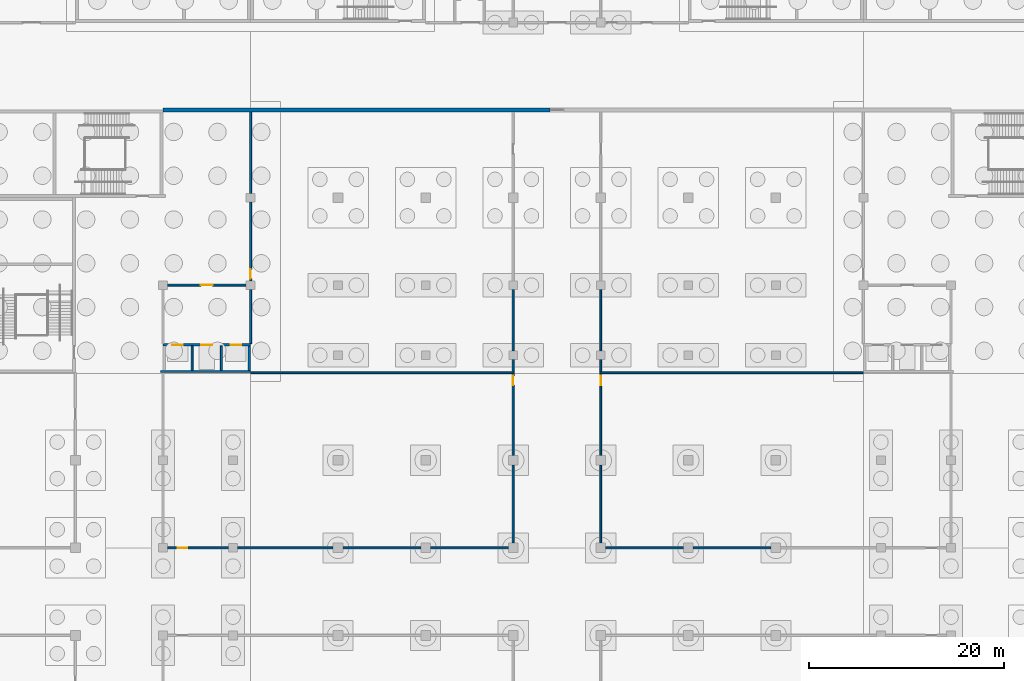
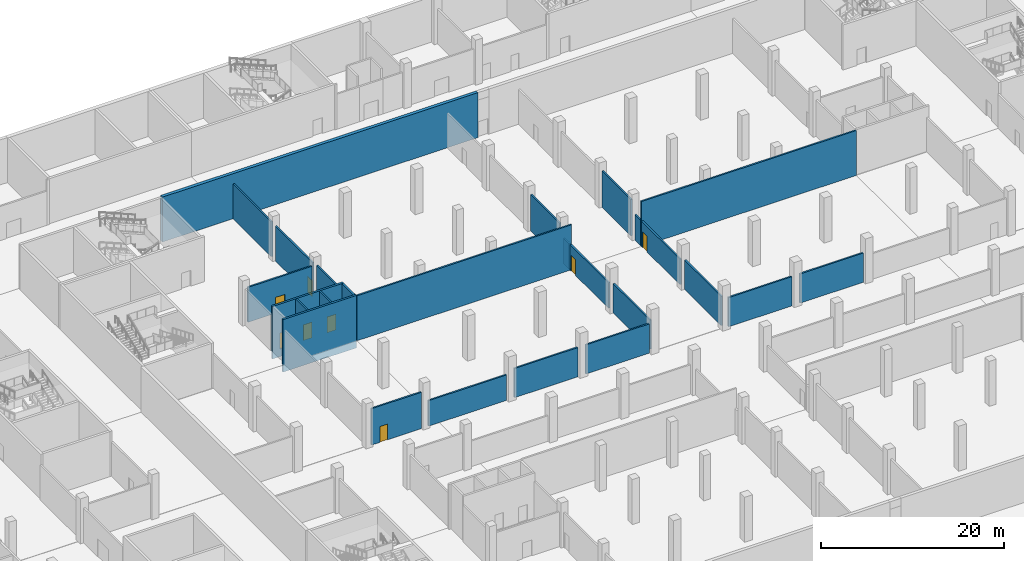
# One storey, part 14 of 42: 26 walls, 8 doors, 8 openings.
"""IFC4 building model written with IfcOpenShell, lengths in metres."""

from ifc_helpers import new_model, si_unit, direction, frame, frame_2d, origin, place, context, subcontext, project, spatial, rectangle, extrude, material, layer, layer_set, type_object, element, fill, save


model = new_model("IFC4")

# Units and contexts
model_context = context("Model", 3, precision=1e-05, world=origin(), true_north=direction((0.0, 1.0)))
body_context = subcontext(model_context, "Body", "Model", "MODEL_VIEW")
ifc_project = project(units=[si_unit("LENGTHUNIT", "METRE"), si_unit("AREAUNIT", "SQUARE_METRE"), si_unit("VOLUMEUNIT", "CUBIC_METRE"), si_unit("PLANEANGLEUNIT", "RADIAN"), si_unit("MASSUNIT", "GRAM", prefix="KILO")], contexts=[model_context])

# Site, building, storey
site_placement = place(None, origin())
site = spatial("IfcSite", under=ifc_project, at=site_placement, CompositionType="ELEMENT")
building_placement = place(site_placement, origin())
building = spatial("IfcBuilding", under=site, at=building_placement, Name="Silverbay Arena", CompositionType="ELEMENT")
storey_placement = place(building_placement, frame((0.0, 0.0, -6.0)))
storey = spatial("IfcBuildingStorey", under=building, at=storey_placement, Name="B1", CompositionType="ELEMENT", Elevation=-6.0)

# Walls
ifc_material_1 = material(Name="Concrete Grade C45", Category="concrete")
ifc_layer_1 = layer(ifc_material_1, 0.199951171875)
ifc_layer_set_1 = layer_set([ifc_layer_1], Name="Concrete Grade C45")
wall_type_1 = type_object("IfcWallType", Name="Lift shaft divider RC 200 EI 240", PredefinedType="SHEAR", material=ifc_layer_set_1)
for number, where, z_axis, x_axis, name in (
    (1, (93.0, 99.25, -1.0), (0.0, 0.0, 1.0), (0.0, 1.0, 0.0), "Lift shaft divider LB-NW B1 1"),
    (2, (96.0, 99.25, -1.0), (0.0, 0.0, 1.0), (0.0, 1.0, 0.0), "Lift shaft divider LB-NW B1 2"),
):
    element("IfcWall", number, at=place(storey_placement, frame(where, z_axis=z_axis, x_axis=x_axis)), inside=storey, type_object=wall_type_1, Name=name, PredefinedType="SHEAR", context=body_context, shape_type="SweptSolid", body=[
        extrude(rectangle(XDim=2.5, YDim=0.199951171875, at=frame_2d((1.25, 0.0))), origin(), (0.0, 0.0, 1.0), 7.0),
    ])

# Wall, openings, doors
ifc_material_2 = material(Name="Concrete Grade C45", Category="concrete")
ifc_layer_2 = layer(ifc_material_2, 0.25)
ifc_layer_set_2 = layer_set([ifc_layer_2], Name="Concrete Grade C45")
wall_type_2 = type_object("IfcWallType", Name="Lift shaft wall RC 250 EI 240", PredefinedType="SHEAR", material=ifc_layer_set_2)
wall_1_placement = place(storey_placement, frame((90.0, 101.875, -1.0), z_axis=(0.0, 0.0, 1.0), x_axis=(1.0, 0.0, 0.0)))
wall_1 = element("IfcWall", 3, at=wall_1_placement, inside=storey, type_object=wall_type_2, Name="Lift shaft wall LB-NW B1 landing side", PredefinedType="SHEAR", context=body_context, shape_type="SweptSolid", body=[
    extrude(rectangle(XDim=9.0, YDim=0.25, at=frame_2d((4.5, 0.0))), origin(), (0.0, 0.0, 1.0), 7.0),
])
opening_1_placement = place(wall_1_placement, frame((0.949951171875, 0.0, 1.0)))
opening_1 = element("IfcOpeningElement", 4, at=opening_1_placement, cuts=wall_1, Name="Opening B1-106", PredefinedType="OPENING", context=body_context, shape_type="SweptSolid", body=[
    extrude(rectangle(XDim=1.10009765625, YDim=2.10009765625, at=frame_2d((0.550048828125, 1.050048828125))), frame((0.0, 0.135009765625, 0.0), z_axis=(0.0, -1.0, 0.0), x_axis=(1.0, 0.0, 0.0)), (0.0, 0.0, 1.0), 0.27001953125),
])
opening_2_placement = place(wall_1_placement, frame((3.949951171875, 0.0, 1.0)))
opening_2 = element("IfcOpeningElement", 5, at=opening_2_placement, cuts=wall_1, Name="Opening B1-107", PredefinedType="OPENING", context=body_context, shape_type="SweptSolid", body=[
    extrude(rectangle(XDim=1.10009765625, YDim=2.10009765625, at=frame_2d((0.550048828125, 1.050048828125))), frame((0.0, 0.135009765625, 0.0), z_axis=(0.0, -1.0, 0.0), x_axis=(1.0, 0.0, 0.0)), (0.0, 0.0, 1.0), 0.27001953125),
])
opening_3_placement = place(wall_1_placement, frame((6.949951171875, 0.0, 1.0)))
opening_3 = element("IfcOpeningElement", 6, at=opening_3_placement, cuts=wall_1, Name="Opening B1-108", PredefinedType="OPENING", context=body_context, shape_type="SweptSolid", body=[
    extrude(rectangle(XDim=1.10009765625, YDim=2.10009765625, at=frame_2d((0.550048828125, 1.050048828125))), frame((0.0, 0.135009765625, 0.0), z_axis=(0.0, -1.0, 0.0), x_axis=(1.0, 0.0, 0.0)), (0.0, 0.0, 1.0), 0.27001953125),
])
ifc_material_3 = material(Name="Stainless steel", Category="steel")
door_type_1 = type_object("IfcDoorType", Name="LD1 lift landing door 1100 x 2100", OperationType="DOUBLE_DOOR_SLIDING", PredefinedType="DOOR", material=ifc_material_3)
door_1_placement = place(opening_1_placement, origin())
door_1 = element("IfcDoor", 7, at=door_1_placement, inside=storey, type_object=door_type_1, Name="Lift landing door LF9 B1", OperationType="DOUBLE_DOOR_SLIDING", OverallHeight=2.10009765625, OverallWidth=1.10009765625, PredefinedType="DOOR", context=body_context, shape_type="SweptSolid", body=[
    extrude(rectangle(XDim=1.10009765625, YDim=2.10009765625, at=frame_2d((0.550048828125, 1.050048828125))), frame((0.0, 0.02490234375, 0.0), z_axis=(0.0, -1.0, 0.0), x_axis=(1.0, 0.0, 0.0)), (0.0, 0.0, 1.0), 0.050048828125),
])
fill(opening_1, door_1)
door_2_placement = place(opening_2_placement, origin())
door_2 = element("IfcDoor", 8, at=door_2_placement, inside=storey, type_object=door_type_1, Name="Lift landing door LF10 B1", OperationType="DOUBLE_DOOR_SLIDING", OverallHeight=2.10009765625, OverallWidth=1.10009765625, PredefinedType="DOOR", context=body_context, shape_type="SweptSolid", body=[
    extrude(rectangle(XDim=1.10009765625, YDim=2.10009765625, at=frame_2d((0.550048828125, 1.050048828125))), frame((0.0, 0.02490234375, 0.0), z_axis=(0.0, -1.0, 0.0), x_axis=(1.0, 0.0, 0.0)), (0.0, 0.0, 1.0), 0.050048828125),
])
fill(opening_2, door_2)
door_3_placement = place(opening_3_placement, origin())
door_3 = element("IfcDoor", 9, at=door_3_placement, inside=storey, type_object=door_type_1, Name="Lift landing door LF11 B1", OperationType="DOUBLE_DOOR_SLIDING", OverallHeight=2.10009765625, OverallWidth=1.10009765625, PredefinedType="DOOR", context=body_context, shape_type="SweptSolid", body=[
    extrude(rectangle(XDim=1.10009765625, YDim=2.10009765625, at=frame_2d((0.550048828125, 1.050048828125))), frame((0.0, 0.02490234375, 0.0), z_axis=(0.0, -1.0, 0.0), x_axis=(1.0, 0.0, 0.0)), (0.0, 0.0, 1.0), 0.050048828125),
])
fill(opening_3, door_3)

# Walls
wall_2_placement = place(storey_placement, frame((89.75, 99.125, -1.0), z_axis=(0.0, 0.0, 1.0), x_axis=(1.0, 0.0, 0.0)))
element("IfcWall", 10, at=wall_2_placement, inside=storey, type_object=wall_type_2, Name="Lift shaft wall LB-NW B1 back", PredefinedType="SHEAR", context=body_context, shape_type="SweptSolid", body=[
    extrude(rectangle(XDim=9.25, YDim=0.25, at=frame_2d((4.625, 0.0))), origin(), (0.0, 0.0, 1.0), 7.0),
])
wall_3_placement = place(storey_placement, frame((98.875, 99.25, -1.0), z_axis=(0.0, 0.0, 1.0), x_axis=(0.0, 1.0, 0.0)))
element("IfcWall", 11, at=wall_3_placement, inside=storey, type_object=wall_type_2, Name="Lift shaft wall LB-NW B1 end", PredefinedType="SHEAR", context=body_context, shape_type="SweptSolid", body=[
    extrude(rectangle(XDim=2.5, YDim=0.25, at=frame_2d((1.25, 0.0))), origin(), (0.0, 0.0, 1.0), 7.0),
])
ifc_material_4 = material(Name="Masonry blockwork partition", Category="masonry")
ifc_layer_3 = layer(ifc_material_4, 0.199951171875)
ifc_layer_set_3 = layer_set([ifc_layer_3], Name="Masonry blockwork partition")
wall_type_3 = type_object("IfcWallType", Name="Partition 200 EI 240", PredefinedType="PARTITIONING", material=ifc_layer_set_3)
for number, where, z_axis, x_axis, name in (
    (12, (117.5, 81.0, 0.0), (0.0, 0.0, 1.0), (1.0, 0.0, 0.0), "Partition wall"),
    (13, (108.5, 81.0, 0.0), (0.0, 0.0, 1.0), (1.0, 0.0, 0.0), "Partition wall"),
):
    element("IfcWall", number, at=place(storey_placement, frame(where, z_axis=z_axis, x_axis=x_axis)), inside=storey, type_object=wall_type_3, Name=name, PredefinedType="PARTITIONING", context=body_context, shape_type="SweptSolid", body=[
        extrude(rectangle(XDim=8.0, YDim=0.199951171875, at=frame_2d((4.0, 0.0))), origin(), (0.0, 0.0, 1.0), 3.89990234375),
    ])
wall_4_placement = place(storey_placement, frame((97.64990234375, 81.0, 0.0), z_axis=(0.0, 0.0, 1.0), x_axis=(1.0, 0.0, 0.0)))
element("IfcWall", 14, at=wall_4_placement, inside=storey, type_object=wall_type_3, Name="Partition wall", PredefinedType="PARTITIONING", context=body_context, shape_type="SweptSolid", body=[
    extrude(rectangle(XDim=9.85009765625, YDim=0.199951171875, at=frame_2d((4.925048828125, 0.0))), origin(), (0.0, 0.0, 1.0), 3.39990234375),
])

# Wall, opening, door
wall_5_placement = place(storey_placement, frame((90.449951171875, 81.0, 0.0), z_axis=(0.0, 0.0, 1.0), x_axis=(1.0, 0.0, 0.0)))
wall_5 = element("IfcWall", 15, at=wall_5_placement, inside=storey, type_object=wall_type_3, Name="Partition wall", PredefinedType="PARTITIONING", context=body_context, shape_type="SweptSolid", body=[
    extrude(rectangle(XDim=6.300048828125, YDim=0.199951171875, at=frame_2d((3.14990234375, 0.0))), origin(), (0.0, 0.0, 1.0), 4.85009765625),
])
opening_4_placement = place(wall_5_placement, frame((1.050048828125, 0.0, 0.0)))
opening_4 = element("IfcOpeningElement", 16, at=opening_4_placement, cuts=wall_5, Name="Opening B1-049", PredefinedType="OPENING", context=body_context, shape_type="SweptSolid", body=[
    extrude(rectangle(XDim=1.0, YDim=2.10009765625, at=frame_2d((0.5, 1.050048828125))), frame((0.0, 0.10986328125, 0.0), z_axis=(0.0, -1.0, 0.0), x_axis=(1.0, 0.0, 0.0)), (0.0, 0.0, 1.0), 0.219970703125),
])
ifc_material_5 = material(Name="Steel faced timber", Category="steel")
door_type_2 = type_object("IfcDoorType", Name="Single leaf door 1000 x 2100 FD30S", OperationType="SINGLE_SWING_LEFT", PredefinedType="DOOR", material=ifc_material_5)
door_4_placement = place(opening_4_placement, origin())
door_4 = element("IfcDoor", 17, at=door_4_placement, inside=storey, type_object=door_type_2, Name="Door B1-049", OperationType="SINGLE_SWING_LEFT", OverallHeight=2.10009765625, OverallWidth=1.0, PredefinedType="DOOR", context=body_context, shape_type="SweptSolid", body=[
    extrude(rectangle(XDim=1.0, YDim=2.10009765625, at=frame_2d((0.5, 1.050048828125))), frame((0.0, 0.02490234375, 0.0), z_axis=(0.0, -1.0, 0.0), x_axis=(1.0, 0.0, 0.0)), (0.0, 0.0, 1.0), 0.050048828125),
])
fill(opening_4, door_4)

# Walls
for number, where, z_axis, x_axis, name in (
    (18, (144.5, 81.0, 0.0), (0.0, 0.0, 1.0), (1.0, 0.0, 0.0), "Partition wall"),
    (19, (135.5, 81.0, 0.0), (0.0, 0.0, 1.0), (1.0, 0.0, 0.0), "Partition wall"),
):
    element("IfcWall", number, at=place(storey_placement, frame(where, z_axis=z_axis, x_axis=x_axis)), inside=storey, type_object=wall_type_3, Name=name, PredefinedType="PARTITIONING", context=body_context, shape_type="SweptSolid", body=[
        extrude(rectangle(XDim=8.0, YDim=0.199951171875, at=frame_2d((4.0, 0.0))), origin(), (0.0, 0.0, 1.0), 3.89990234375),
    ])
for number, where, z_axis, x_axis, name in (
    (20, (99.0, 99.0, 0.0), (0.0, 0.0, 1.0), (1.0, 0.0, 0.0), "Partition wall"),
    (21, (134.89990234375, 99.0, 0.0), (0.0, 0.0, 1.0), (1.0, 0.0, 0.0), "Partition wall"),
):
    element("IfcWall", number, at=place(storey_placement, frame(where, z_axis=z_axis, x_axis=x_axis)), inside=storey, type_object=wall_type_3, Name=name, PredefinedType="PARTITIONING", context=body_context, shape_type="SweptSolid", body=[
        extrude(rectangle(XDim=27.10009765625, YDim=0.199951171875, at=frame_2d((13.550048828125, 0.0))), origin(), (0.0, 0.0, 1.0), 6.0),
    ])

# Wall, opening, door
wall_6_placement = place(storey_placement, frame((90.449951171875, 108.0, 0.0), z_axis=(0.0, 0.0, 1.0), x_axis=(1.0, 0.0, 0.0)))
wall_6 = element("IfcWall", 22, at=wall_6_placement, inside=storey, type_object=wall_type_3, Name="Partition wall", PredefinedType="PARTITIONING", context=body_context, shape_type="SweptSolid", body=[
    extrude(rectangle(XDim=8.10009765625, YDim=0.199951171875, at=frame_2d((4.050048828125, 0.0))), origin(), (0.0, 0.0, 1.0), 4.64990234375),
])
opening_5_placement = place(wall_6_placement, frame((3.449951171875, 0.0, 0.0)))
opening_5 = element("IfcOpeningElement", 23, at=opening_5_placement, cuts=wall_6, Name="Opening B1-039", PredefinedType="OPENING", context=body_context, shape_type="SweptSolid", body=[
    extrude(rectangle(XDim=1.199951171875, YDim=2.10009765625, at=frame_2d((0.60009765625, 1.050048828125))), frame((0.0, 0.10986328125, 0.0), z_axis=(0.0, -1.0, 0.0), x_axis=(1.0, 0.0, 0.0)), (0.0, 0.0, 1.0), 0.219970703125),
])
ifc_material_6 = material(Name="Steel faced timber", Category="steel")
door_type_3 = type_object("IfcDoorType", Name="Single leaf door 1200 x 2100 FD240", OperationType="SINGLE_SWING_LEFT", PredefinedType="DOOR", material=ifc_material_6)
door_5_placement = place(opening_5_placement, origin())
door_5 = element("IfcDoor", 24, at=door_5_placement, inside=storey, type_object=door_type_3, Name="Door B1-039", OperationType="SINGLE_SWING_LEFT", OverallHeight=2.10009765625, OverallWidth=1.199951171875, PredefinedType="DOOR", context=body_context, shape_type="SweptSolid", body=[
    extrude(rectangle(XDim=1.199951171875, YDim=2.10009765625, at=frame_2d((0.60009765625, 1.050048828125))), frame((0.0, 0.02490234375, 0.0), z_axis=(0.0, -1.0, 0.0), x_axis=(1.0, 0.0, 0.0)), (0.0, 0.0, 1.0), 0.050048828125),
])
fill(opening_5, door_5)

# Wall
wall_7_placement = place(storey_placement, frame((99.0, 102.0, 0.0), z_axis=(0.0, 0.0, 1.0), x_axis=(0.0, 1.0, 0.0)))
element("IfcWall", 25, at=wall_7_placement, inside=storey, type_object=wall_type_3, Name="Partition wall", PredefinedType="PARTITIONING", context=body_context, shape_type="SweptSolid", body=[
    extrude(rectangle(XDim=5.550048828125, YDim=0.199951171875, at=frame_2d((2.77490234375, 0.0))), origin(), (0.0, 0.0, 1.0), 4.85009765625),
])

# Wall, opening, door
wall_8_placement = place(storey_placement, frame((99.0, 108.449951171875, 0.0), z_axis=(0.0, 0.0, 1.0), x_axis=(0.0, 1.0, 0.0)))
wall_8 = element("IfcWall", 26, at=wall_8_placement, inside=storey, type_object=wall_type_3, Name="Partition wall", PredefinedType="PARTITIONING", context=body_context, shape_type="SweptSolid", body=[
    extrude(rectangle(XDim=8.10009765625, YDim=0.199951171875, at=frame_2d((4.050048828125, 0.0))), origin(), (0.0, 0.0, 1.0), 4.64990234375),
])
opening_6_placement = place(wall_8_placement, frame((0.199951171875, 0.0, 0.0)))
opening_6 = element("IfcOpeningElement", 27, at=opening_6_placement, cuts=wall_8, Name="Opening B1-074", PredefinedType="OPENING", context=body_context, shape_type="SweptSolid", body=[
    extrude(rectangle(XDim=1.0, YDim=2.10009765625, at=frame_2d((0.5, 1.050048828125))), frame((0.0, 0.10986328125, 0.0), z_axis=(0.0, -1.0, 0.0), x_axis=(1.0, 0.0, 0.0)), (0.0, 0.0, 1.0), 0.219970703125),
])
ifc_material_7 = material(Name="Steel faced timber", Category="steel")
door_type_4 = type_object("IfcDoorType", Name="Single leaf door 1000 x 2100 FD240", OperationType="SINGLE_SWING_LEFT", PredefinedType="DOOR", material=ifc_material_7)
door_6_placement = place(opening_6_placement, frame((1.0, 0.0, 0.0), z_axis=(0.0, 0.0, 1.0), x_axis=(-1.0, 0.0, 0.0)))
door_6 = element("IfcDoor", 28, at=door_6_placement, inside=storey, type_object=door_type_4, Name="Door B1-074", OperationType="SINGLE_SWING_RIGHT", OverallHeight=2.10009765625, OverallWidth=1.0, PredefinedType="DOOR", context=body_context, shape_type="SweptSolid", body=[
    extrude(rectangle(XDim=1.0, YDim=2.10009765625, at=frame_2d((0.5, 1.050048828125))), frame((0.0, 0.02490234375, 0.0), z_axis=(0.0, -1.0, 0.0), x_axis=(1.0, 0.0, 0.0)), (0.0, 0.0, 1.0), 0.050048828125),
])
fill(opening_6, door_6)

# Walls
wall_9_placement = place(storey_placement, frame((99.0, 117.449951171875, 0.0), z_axis=(0.0, 0.0, 1.0), x_axis=(0.0, 1.0, 0.0)))
element("IfcWall", 29, at=wall_9_placement, inside=storey, type_object=wall_type_3, Name="Partition wall", PredefinedType="PARTITIONING", context=body_context, shape_type="SweptSolid", body=[
    extrude(rectangle(XDim=8.35009765625, YDim=0.199951171875, at=frame_2d((4.175048828125, 0.0))), origin(), (0.0, 0.0, 1.0), 4.64990234375),
])
wall_10_placement = place(storey_placement, frame((126.0, 81.5, 0.0), z_axis=(0.0, 0.0, 1.0), x_axis=(0.0, 1.0, 0.0)))
element("IfcWall", 30, at=wall_10_placement, inside=storey, type_object=wall_type_3, Name="Partition wall", PredefinedType="PARTITIONING", context=body_context, shape_type="SweptSolid", body=[
    extrude(rectangle(XDim=8.0, YDim=0.199951171875, at=frame_2d((4.0, 0.0))), origin(), (0.0, 0.0, 1.0), 3.89990234375),
])

# Wall, opening, door
wall_11_placement = place(storey_placement, frame((126.0, 90.5, 0.0), z_axis=(0.0, 0.0, 1.0), x_axis=(0.0, 1.0, 0.0)))
wall_11 = element("IfcWall", 31, at=wall_11_placement, inside=storey, type_object=wall_type_3, Name="Partition wall", PredefinedType="PARTITIONING", context=body_context, shape_type="SweptSolid", body=[
    extrude(rectangle(XDim=8.39990234375, YDim=0.199951171875, at=frame_2d((4.199951171875, 0.0))), origin(), (0.0, 0.0, 1.0), 3.39990234375),
])
opening_7_placement = place(wall_11_placement, frame((7.199951171875, 0.0, 0.0)))
opening_7 = element("IfcOpeningElement", 32, at=opening_7_placement, cuts=wall_11, Name="Opening B1-075", PredefinedType="OPENING", context=body_context, shape_type="SweptSolid", body=[
    extrude(rectangle(XDim=1.0, YDim=2.10009765625, at=frame_2d((0.5, 1.050048828125))), frame((0.0, 0.10986328125, 0.0), z_axis=(0.0, -1.0, 0.0), x_axis=(1.0, 0.0, 0.0)), (0.0, 0.0, 1.0), 0.219970703125),
])
door_7_placement = place(opening_7_placement, origin())
door_7 = element("IfcDoor", 33, at=door_7_placement, inside=storey, type_object=door_type_2, Name="Door B1-075", OperationType="SINGLE_SWING_RIGHT", OverallHeight=2.10009765625, OverallWidth=1.0, PredefinedType="DOOR", context=body_context, shape_type="SweptSolid", body=[
    extrude(rectangle(XDim=1.0, YDim=2.10009765625, at=frame_2d((0.5, 1.050048828125))), frame((0.0, 0.02490234375, 0.0), z_axis=(0.0, -1.0, 0.0), x_axis=(1.0, 0.0, 0.0)), (0.0, 0.0, 1.0), 0.050048828125),
])
fill(opening_7, door_7)

# Walls
wall_12_placement = place(storey_placement, frame((126.0, 99.10009765625, 0.0), z_axis=(0.0, 0.0, 1.0), x_axis=(0.0, 1.0, 0.0)))
element("IfcWall", 34, at=wall_12_placement, inside=storey, type_object=wall_type_3, Name="Partition wall", PredefinedType="PARTITIONING", context=body_context, shape_type="SweptSolid", body=[
    extrude(rectangle(XDim=1.25, YDim=0.199951171875, at=frame_2d((0.625, 0.0))), origin(), (0.0, 0.0, 1.0), 3.39990234375),
])
wall_13_placement = place(storey_placement, frame((126.0, 101.25, 0.0), z_axis=(0.0, 0.0, 1.0), x_axis=(0.0, 1.0, 0.0)))
element("IfcWall", 35, at=wall_13_placement, inside=storey, type_object=wall_type_3, Name="Partition wall", PredefinedType="PARTITIONING", context=body_context, shape_type="SweptSolid", body=[
    extrude(rectangle(XDim=6.300048828125, YDim=0.199951171875, at=frame_2d((3.14990234375, 0.0))), origin(), (0.0, 0.0, 1.0), 4.85009765625),
])
wall_14_placement = place(storey_placement, frame((135.0, 81.5, 0.0), z_axis=(0.0, 0.0, 1.0), x_axis=(0.0, 1.0, 0.0)))
element("IfcWall", 36, at=wall_14_placement, inside=storey, type_object=wall_type_3, Name="Partition wall", PredefinedType="PARTITIONING", context=body_context, shape_type="SweptSolid", body=[
    extrude(rectangle(XDim=8.0, YDim=0.199951171875, at=frame_2d((4.0, 0.0))), origin(), (0.0, 0.0, 1.0), 3.89990234375),
])

# Wall, opening, door
wall_15_placement = place(storey_placement, frame((135.0, 90.5, 0.0), z_axis=(0.0, 0.0, 1.0), x_axis=(0.0, 1.0, 0.0)))
wall_15 = element("IfcWall", 37, at=wall_15_placement, inside=storey, type_object=wall_type_3, Name="Partition wall", PredefinedType="PARTITIONING", context=body_context, shape_type="SweptSolid", body=[
    extrude(rectangle(XDim=8.39990234375, YDim=0.199951171875, at=frame_2d((4.199951171875, 0.0))), origin(), (0.0, 0.0, 1.0), 3.39990234375),
])
opening_8_placement = place(wall_15_placement, frame((7.199951171875, 0.0, 0.0)))
opening_8 = element("IfcOpeningElement", 38, at=opening_8_placement, cuts=wall_15, Name="Opening B1-077", PredefinedType="OPENING", context=body_context, shape_type="SweptSolid", body=[
    extrude(rectangle(XDim=1.0, YDim=2.10009765625, at=frame_2d((0.5, 1.050048828125))), frame((0.0, 0.10986328125, 0.0), z_axis=(0.0, -1.0, 0.0), x_axis=(1.0, 0.0, 0.0)), (0.0, 0.0, 1.0), 0.219970703125),
])
door_8_placement = place(opening_8_placement, frame((1.0, 0.0, 0.0), z_axis=(0.0, 0.0, 1.0), x_axis=(-1.0, 0.0, 0.0)))
door_8 = element("IfcDoor", 39, at=door_8_placement, inside=storey, type_object=door_type_2, Name="Door B1-077", OperationType="SINGLE_SWING_LEFT", OverallHeight=2.10009765625, OverallWidth=1.0, PredefinedType="DOOR", context=body_context, shape_type="SweptSolid", body=[
    extrude(rectangle(XDim=1.0, YDim=2.10009765625, at=frame_2d((0.5, 1.050048828125))), frame((0.0, 0.02490234375, 0.0), z_axis=(0.0, -1.0, 0.0), x_axis=(1.0, 0.0, 0.0)), (0.0, 0.0, 1.0), 0.050048828125),
])
fill(opening_8, door_8)

# Walls
wall_16_placement = place(storey_placement, frame((135.0, 99.10009765625, 0.0), z_axis=(0.0, 0.0, 1.0), x_axis=(0.0, 1.0, 0.0)))
element("IfcWall", 40, at=wall_16_placement, inside=storey, type_object=wall_type_3, Name="Partition wall", PredefinedType="PARTITIONING", context=body_context, shape_type="SweptSolid", body=[
    extrude(rectangle(XDim=1.25, YDim=0.199951171875, at=frame_2d((0.625, 0.0))), origin(), (0.0, 0.0, 1.0), 3.39990234375),
])
wall_17_placement = place(storey_placement, frame((135.0, 101.25, 0.0), z_axis=(0.0, 0.0, 1.0), x_axis=(0.0, 1.0, 0.0)))
element("IfcWall", 41, at=wall_17_placement, inside=storey, type_object=wall_type_3, Name="Partition wall", PredefinedType="PARTITIONING", context=body_context, shape_type="SweptSolid", body=[
    extrude(rectangle(XDim=6.300048828125, YDim=0.199951171875, at=frame_2d((3.14990234375, 0.0))), origin(), (0.0, 0.0, 1.0), 4.85009765625),
])
ifc_material_8 = material(Name="Concrete Grade C45", Category="concrete")
ifc_layer_4 = layer(ifc_material_8, 0.39990234375)
ifc_layer_set_4 = layer_set([ifc_layer_4], Name="Concrete Grade C45")
wall_type_4 = type_object("IfcWallType", Name="RC back wall 400 EI 240", PredefinedType="SOLIDWALL", material=ifc_layer_set_4)
wall_18_placement = place(storey_placement, frame((129.800048828125, 126.0, 0.0), z_axis=(0.0, 0.0, 1.0), x_axis=(-1.0, 0.0, 0.0)))
element("IfcWall", 42, at=wall_18_placement, inside=storey, type_object=wall_type_4, Name="Bowl back wall B1 05", PredefinedType="SOLIDWALL", context=body_context, shape_type="SweptSolid", body=[
    extrude(rectangle(XDim=39.800048828125, YDim=0.39990234375, at=frame_2d((19.89990234375, 0.0))), origin(), (0.0, 0.0, 1.0), 6.0),
])

save(model, "model.ifc")
